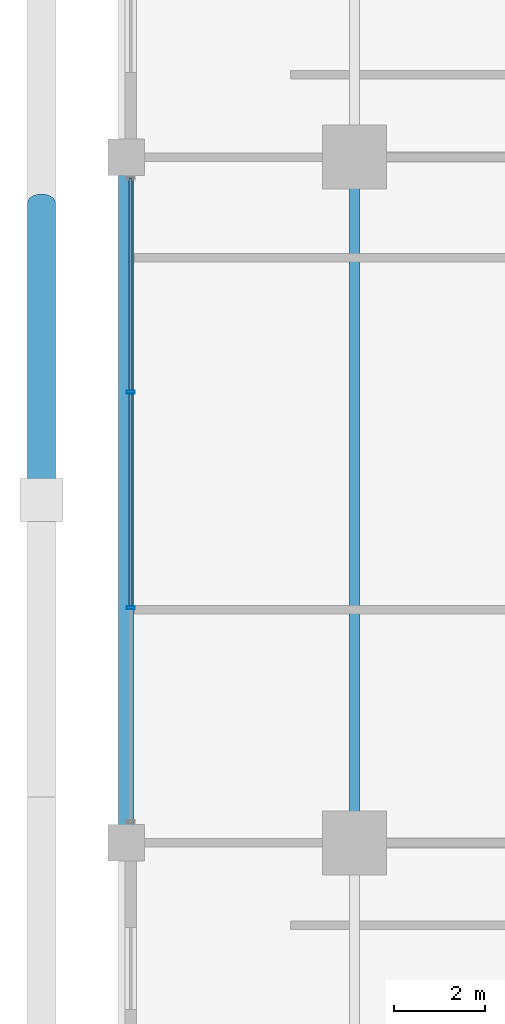
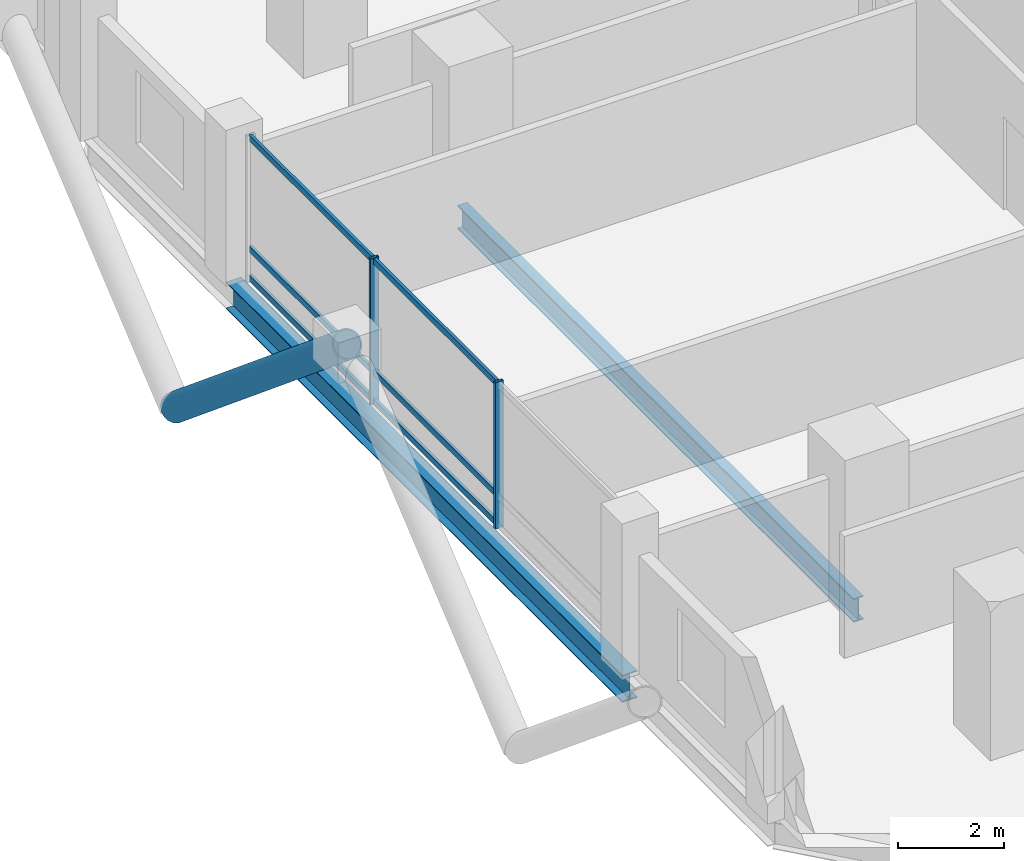
# One storey, part 6 of 21: 9 members, 2 beams, 1 element without a shape of its own.
"""IFC4 building model written with IfcOpenShell, lengths in metres."""

from ifc_helpers import new_model, si_unit, direction, frame, origin, origin_2d, place, context, subcontext, project, spatial, hollow_rectangle, hollow_circle, i_section, extrude, material, layer, layer_set, material_profile, profile_set, type_object, element, aggregate, save


model = new_model("IFC4")

# Units and contexts
model_context = context("Model", 3, precision=1e-05, world=origin(), true_north=direction((0.0, 1.0)))
body_context = subcontext(model_context, "Body", "Model", "MODEL_VIEW")
ifc_project = project(units=[si_unit("LENGTHUNIT", "METRE"), si_unit("AREAUNIT", "SQUARE_METRE"), si_unit("VOLUMEUNIT", "CUBIC_METRE"), si_unit("PLANEANGLEUNIT", "RADIAN"), si_unit("MASSUNIT", "GRAM", prefix="KILO")], contexts=[model_context])

# Site, building, storey
site_placement = place(None, origin())
site = spatial("IfcSite", under=ifc_project, at=site_placement, CompositionType="ELEMENT")
building_placement = place(site_placement, origin())
building = spatial("IfcBuilding", under=site, at=building_placement, Name="Barlavira Tower and Art Museum", CompositionType="ELEMENT")
storey_placement = place(building_placement, frame((0.0, 0.0, 79.199951171875)))
storey = spatial("IfcBuildingStorey", under=building, at=storey_placement, Name="L19", CompositionType="ELEMENT", Elevation=79.199951171875)

# Curtain wall, members
ifc_material_1 = material(Name="Low-iron coastal laminated glass", Category="glass")
ifc_layer = layer(ifc_material_1, 0.179931640625, Name="Low-iron coastal laminated glass")
ifc_layer_set = layer_set([ifc_layer], Name="Low-iron coastal laminated glass")
curtain_wall_type = type_object("IfcCurtainWallType", Name="Pale-Metal Unitised Curtain Wall Zone 1", PredefinedType="NOTDEFINED", material=ifc_layer_set)
curtain_wall_placement = place(storey_placement, origin())
curtain_wall = element("IfcCurtainWall", 1, at=curtain_wall_placement, inside=storey, type_object=curtain_wall_type, Name="L19 Curtain Wall CW1-L19-W-B3", PredefinedType="NOTDEFINED")
ifc_material_2 = material(Name="Pale anodised aluminium", Category="aluminium")
ifc_material_profile_1 = material_profile(ifc_material_2, hollow_rectangle(XDim=0.06494140625, YDim=0.179931640625, WallThickness=0.00390625, at=origin_2d()), Name="ALU-MULL 65x180x4")
ifc_profile_set_1 = profile_set([ifc_material_profile_1], Name="Pale anodised aluminium")
member_type_1 = type_object("IfcMemberType", Name="Curtain Wall Pale-Metal Mullion 65x180", PredefinedType="MULLION", material=ifc_profile_set_1)
member_1_placement = place(storey_placement, frame((-21.89990234375, 2.360107421875, 0.0), z_axis=(0.0, 0.0, 1.0), x_axis=(0.0, -1.0, 0.0)))
member_1 = element("IfcMember", 2, at=member_1_placement, type_object=member_type_1, Name="CW1-L19-W-B3 Mullion 1", PredefinedType="MULLION", context=body_context, shape_type="SweptSolid", body=[
    extrude(hollow_rectangle(XDim=0.06494140625, YDim=0.179931640625, WallThickness=0.00390625, at=origin_2d()), origin(), (0.0, 0.0, 1.0), 3.380126953125),
])
member_2_placement = place(storey_placement, frame((-21.89990234375, -2.360107421875, 0.0), z_axis=(0.0, 0.0, 1.0), x_axis=(0.0, -1.0, 0.0)))
member_2 = element("IfcMember", 3, at=member_2_placement, type_object=member_type_1, Name="CW1-L19-W-B3 Mullion 2", PredefinedType="MULLION", context=body_context, shape_type="SweptSolid", body=[
    extrude(hollow_rectangle(XDim=0.06494140625, YDim=0.179931640625, WallThickness=0.00390625, at=origin_2d()), origin(), (0.0, 0.0, 1.0), 3.380126953125),
])
ifc_material_profile_2 = material_profile(ifc_material_2, hollow_rectangle(XDim=0.06494140625, YDim=0.139892578125, WallThickness=0.00390625, at=origin_2d()), Name="ALU-TRAN 65x140x4")
ifc_profile_set_2 = profile_set([ifc_material_profile_2], Name="Pale anodised aluminium")
member_type_2 = type_object("IfcMemberType", Name="Curtain Wall Pale-Metal Transom 65x140", PredefinedType="USERDEFINED", material=ifc_profile_set_2)
member_3_placement = place(storey_placement, frame((-21.89990234375, 7.034912109375, 0.070068359375), z_axis=(0.0, -1.0, 0.0), x_axis=(1.0, 0.0, 0.0)))
member_3 = element("IfcMember", 4, at=member_3_placement, type_object=member_type_2, Name="CW1-L19-W-B3 Transom 0.1", ObjectType="TRANSOM", PredefinedType="USERDEFINED", context=body_context, shape_type="SweptSolid", body=[
    extrude(hollow_rectangle(XDim=0.06494140625, YDim=0.139892578125, WallThickness=0.00390625, at=origin_2d()), origin(), (0.0, 0.0, 1.0), 4.6298828125),
])
member_4_placement = place(storey_placement, frame((-21.89990234375, 7.034912109375, 0.744140625), z_axis=(0.0, -1.0, 0.0), x_axis=(1.0, 0.0, 0.0)))
member_4 = element("IfcMember", 5, at=member_4_placement, type_object=member_type_2, Name="CW1-L19-W-B3 Transom 0.2", ObjectType="TRANSOM", PredefinedType="USERDEFINED", context=body_context, shape_type="SweptSolid", body=[
    extrude(hollow_rectangle(XDim=0.06494140625, YDim=0.139892578125, WallThickness=0.00390625, at=origin_2d()), origin(), (0.0, 0.0, 1.0), 4.6298828125),
])
member_5_placement = place(storey_placement, frame((-21.89990234375, 7.034912109375, 3.31005859375), z_axis=(0.0, -1.0, 0.0), x_axis=(1.0, 0.0, 0.0)))
member_5 = element("IfcMember", 6, at=member_5_placement, type_object=member_type_2, Name="CW1-L19-W-B3 Transom 0.3", ObjectType="TRANSOM", PredefinedType="USERDEFINED", context=body_context, shape_type="SweptSolid", body=[
    extrude(hollow_rectangle(XDim=0.06494140625, YDim=0.139892578125, WallThickness=0.00390625, at=origin_2d()), origin(), (0.0, 0.0, 1.0), 4.6298828125),
])
member_6_placement = place(storey_placement, frame((-21.89990234375, 2.31494140625, 0.070068359375), z_axis=(0.0, -1.0, 0.0), x_axis=(1.0, 0.0, 0.0)))
member_6 = element("IfcMember", 7, at=member_6_placement, type_object=member_type_2, Name="CW1-L19-W-B3 Transom 1.1", ObjectType="TRANSOM", PredefinedType="USERDEFINED", context=body_context, shape_type="SweptSolid", body=[
    extrude(hollow_rectangle(XDim=0.06494140625, YDim=0.139892578125, WallThickness=0.00390625, at=origin_2d()), origin(), (0.0, 0.0, 1.0), 4.6298828125),
])
member_7_placement = place(storey_placement, frame((-21.89990234375, 2.31494140625, 0.744140625), z_axis=(0.0, -1.0, 0.0), x_axis=(1.0, 0.0, 0.0)))
member_7 = element("IfcMember", 8, at=member_7_placement, type_object=member_type_2, Name="CW1-L19-W-B3 Transom 1.2", ObjectType="TRANSOM", PredefinedType="USERDEFINED", context=body_context, shape_type="SweptSolid", body=[
    extrude(hollow_rectangle(XDim=0.06494140625, YDim=0.139892578125, WallThickness=0.00390625, at=origin_2d()), origin(), (0.0, 0.0, 1.0), 4.6298828125),
])
member_8_placement = place(storey_placement, frame((-21.89990234375, 2.31494140625, 3.31005859375), z_axis=(0.0, -1.0, 0.0), x_axis=(1.0, 0.0, 0.0)))
member_8 = element("IfcMember", 9, at=member_8_placement, type_object=member_type_2, Name="CW1-L19-W-B3 Transom 1.3", ObjectType="TRANSOM", PredefinedType="USERDEFINED", context=body_context, shape_type="SweptSolid", body=[
    extrude(hollow_rectangle(XDim=0.06494140625, YDim=0.139892578125, WallThickness=0.00390625, at=origin_2d()), origin(), (0.0, 0.0, 1.0), 4.6298828125),
])
aggregate(curtain_wall, [member_1, member_2, member_3, member_4, member_5, member_6, member_7, member_8])

# Member
ifc_material_3 = material(Name="Steel S355", Category="steel")
ifc_material_profile_3 = material_profile(ifc_material_3, hollow_circle(Radius=0.304931640625, WallThickness=0.028076171875, at=origin_2d()), Name="CHS 610.0x28.0")
ifc_profile_set_3 = profile_set([ifc_material_profile_3], Name="Steel S355")
member_type_3 = type_object("IfcMemberType", Name="Pale-Metal Exoskeleton Diagrid Tube CHS 610x28 Steel S355", PredefinedType="BRACE", material=ifc_profile_set_3)
member_9_placement = place(storey_placement, frame((-23.85009765625, 6.5, -1.919921875), z_axis=(0.0, -0.769196053329, 0.639012857104), x_axis=(1.0, 0.0, 0.0)))
element("IfcMember", 10, at=member_9_placement, inside=storey, type_object=member_type_3, Name="L19 Exoskeleton Diagrid Tube W", PredefinedType="BRACE", context=body_context, shape_type="SweptSolid", body=[
    extrude(hollow_circle(Radius=0.304931640625, WallThickness=0.028076171875, at=origin_2d()), origin(), (0.0, 0.0, 1.0), 8.450439453125),
])

# Beams
ifc_material_profile_4 = material_profile(ifc_material_3, i_section(OverallWidth=0.327880859375, OverallDepth=0.62890625, WebThickness=0.013916015625, FlangeThickness=0.021484375, at=origin_2d()), Name="W610x174.0")
ifc_profile_set_4 = profile_set([ifc_material_profile_4], Name="Steel S355")
beam_type_1 = type_object("IfcBeamType", Name="Perimeter Spandrel Edge Beam W610x174 Steel S355", PredefinedType="SPANDREL", material=ifc_profile_set_4)
beam_1_placement = place(storey_placement, frame((-22.0, -7.5, -0.534423828125), z_axis=(0.0, 1.0, 0.0), x_axis=(-1.0, 0.0, 0.0)))
element("IfcBeam", 11, at=beam_1_placement, inside=storey, type_object=beam_type_1, Name="L19 Spandrel 14", PredefinedType="SPANDREL", context=body_context, shape_type="SweptSolid", body=[
    extrude(i_section(OverallWidth=0.327880859375, OverallDepth=0.62890625, WebThickness=0.013916015625, FlangeThickness=0.021484375, at=origin_2d()), origin(), (0.0, 0.0, 1.0), 15.0),
])
ifc_material_profile_5 = material_profile(ifc_material_3, i_section(OverallWidth=0.214111328125, OverallDepth=0.549072265625, WebThickness=0.0146484375, FlangeThickness=0.023681640625, at=origin_2d()), Name="W530x138.0")
ifc_profile_set_5 = profile_set([ifc_material_profile_5], Name="Steel S355")
beam_type_2 = type_object("IfcBeamType", Name="Zone 1 Primary Floor Girder W530x138 Steel S355", PredefinedType="BEAM", material=ifc_profile_set_5)
beam_2_placement = place(storey_placement, frame((-17.0, -7.5, -0.494384765625), z_axis=(0.0, 1.0, 0.0), x_axis=(-1.0, 0.0, 0.0)))
element("IfcBeam", 12, at=beam_2_placement, inside=storey, type_object=beam_type_2, Name="L19 Girder M-W2", PredefinedType="BEAM", context=body_context, shape_type="SweptSolid", body=[
    extrude(i_section(OverallWidth=0.214111328125, OverallDepth=0.549072265625, WebThickness=0.0146484375, FlangeThickness=0.023681640625, at=origin_2d()), origin(), (0.0, 0.0, 1.0), 15.0),
])

save(model, "model.ifc")
